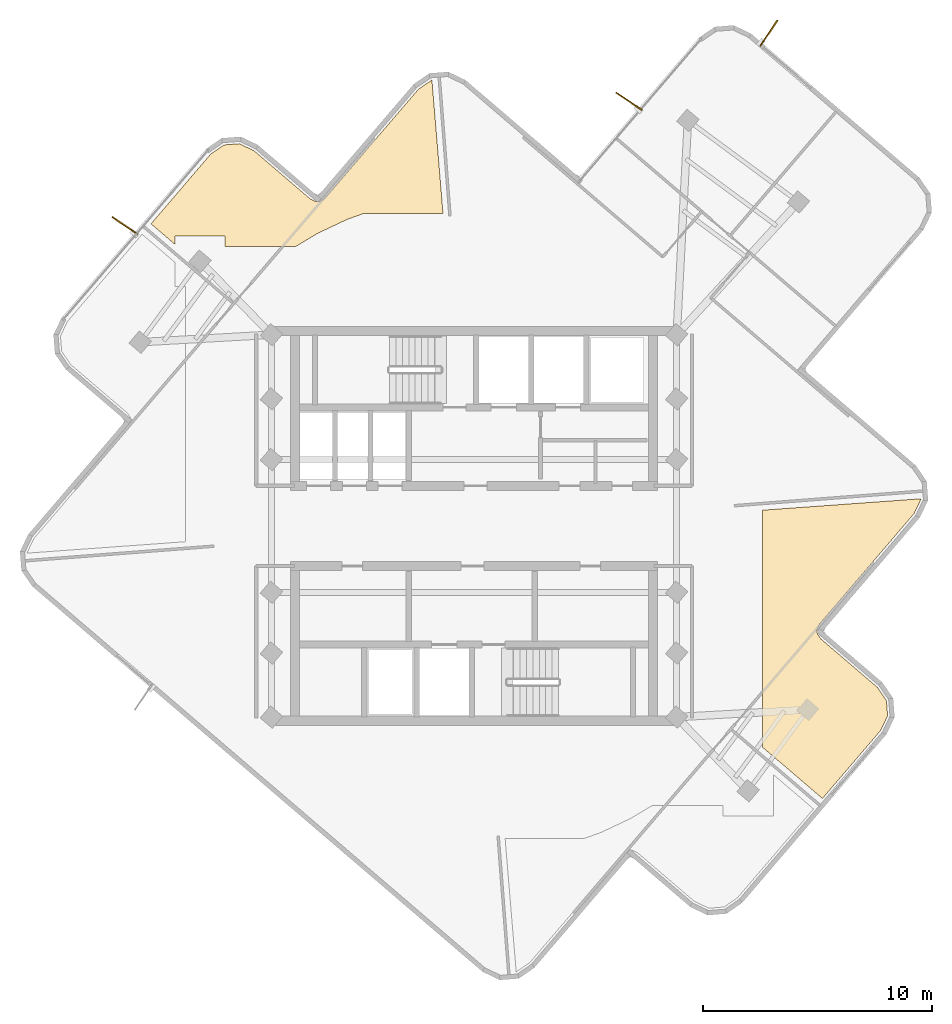
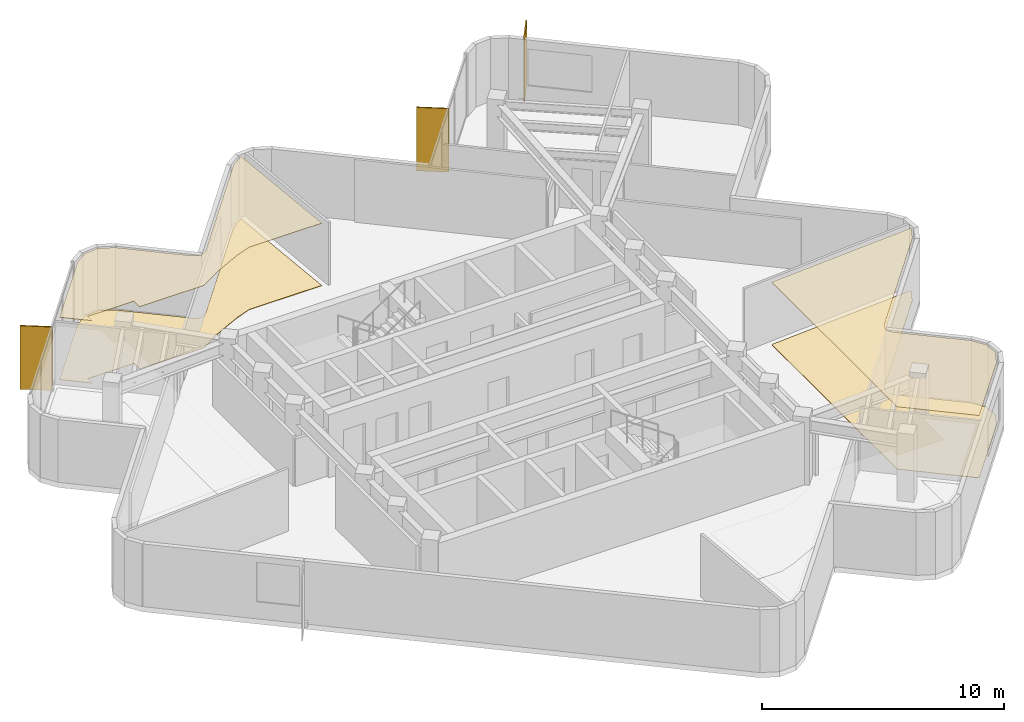
# One storey, part 10 of 10: 4 coverings, 3 shading devices.
"""IFC4 building model written with IfcOpenShell, lengths in metres."""

from ifc_helpers import new_model, si_unit, direction, frame, origin, origin_2d, place, context, subcontext, project, spatial, polyline, rectangle, outline, extrude, material, layer, layer_set, type_object, element, save


model = new_model("IFC4")

# Units and contexts
model_context = context("Model", 3, precision=1e-05, world=origin(), true_north=direction((0.0, 1.0)))
body_context = subcontext(model_context, "Body", "Model", "MODEL_VIEW")
ifc_project = project(units=[si_unit("LENGTHUNIT", "METRE"), si_unit("AREAUNIT", "SQUARE_METRE"), si_unit("VOLUMEUNIT", "CUBIC_METRE"), si_unit("PLANEANGLEUNIT", "RADIAN"), si_unit("MASSUNIT", "GRAM", prefix="KILO")], contexts=[model_context])

# Site, building, storey
site_placement = place(None, origin())
site = spatial("IfcSite", under=ifc_project, at=site_placement, CompositionType="ELEMENT")
building_placement = place(site_placement, origin())
building = spatial("IfcBuilding", under=site, at=building_placement, Name="Solmarez Civic Tower", CompositionType="ELEMENT")
storey_placement = place(building_placement, frame((0.0, 0.0, 254.340087890625)))
storey = spatial("IfcBuildingStorey", under=building, at=storey_placement, Name="L68", CompositionType="ELEMENT", Elevation=254.340087890625)

# Coverings
ifc_material_1 = material(Name="Perforated Mineral-Fibre Acoustic Ceiling")
ifc_layer_1 = layer(ifc_material_1, 0.02490234375)
ifc_layer_set_1 = layer_set([ifc_layer_1], Name="Perforated Mineral-Fibre Acoustic Ceiling")
covering_type_1 = type_object("IfcCoveringType", Name="COV-CEIL-ACOUSTIC", PredefinedType="CEILING", material=ifc_layer_set_1)
covering_1_placement = place(storey_placement, frame((0.0, 0.0, 3.135009765625)))
element("IfcCovering", 1, at=covering_1_placement, inside=storey, type_object=covering_type_1, Name="L68 Suspended Acoustic Ceiling 2", PredefinedType="CEILING", context=body_context, shape_type="SweptSolid", body=[
    extrude(outline(polyline([(12.60009765625, 0.68896484375), (12.60009765625, -9.6650390625), (15.215087890625, -11.904052734375), (17.758056640625, -8.93310546875), (18.06396484375, -8.2939453125), (18.011962890625, -7.62890625), (17.612060546875, -7.0439453125), (15.181884765625, -4.965087890625), (15.177001953125, -4.9609375), (15.160888671875, -4.946044921875), (15.14599609375, -4.928955078125), (15.14208984375, -4.924072265625), (15.1279296875, -4.905029296875), (15.029052734375, -4.760986328125), (15.02490234375, -4.7548828125), (15.014892578125, -4.738037109375), (15.006103515625, -4.719970703125), (15.0029296875, -4.712890625), (15.0, -4.7060546875), (14.993896484375, -4.68896484375), (14.989013671875, -4.672119140625), (14.987060546875, -4.6640625), (14.98193359375, -4.64208984375), (14.98095703125, -4.631103515625), (14.97998046875, -4.623046875), (14.97802734375, -4.60400390625), (14.97802734375, -4.583984375), (14.97900390625, -4.573974609375), (14.97998046875, -4.56103515625), (14.98291015625, -4.5400390625), (14.987060546875, -4.52099609375), (14.989990234375, -4.512939453125), (14.9951171875, -4.49609375), (15.0009765625, -4.47900390625), (15.00390625, -4.471923828125), (15.007080078125, -4.464111328125), (15.0810546875, -4.30908203125), (15.090087890625, -4.2939453125), (15.10205078125, -4.27294921875), (15.115966796875, -4.25390625), (15.1279296875, -4.239990234375), (19.220947265625, 0.5419921875), (19.527099609375, 1.181884765625), (19.527099609375, 1.18798828125), (12.60009765625, 0.68896484375)])), origin(), (0.0, 0.0, 1.0), 0.02490234375),
])
covering_2_placement = place(storey_placement, frame((0.0, 0.0, 3.135009765625)))
element("IfcCovering", 2, at=covering_2_placement, inside=storey, type_object=covering_type_1, Name="L68 Suspended Acoustic Ceiling 4", PredefinedType="CEILING", context=body_context, shape_type="SweptSolid", body=[
    extrude(outline(polyline([(-13.071044921875, 12.305908203125), (-13.071044921875, 12.666015625), (-10.87109375, 12.666015625), (-10.87109375, 12.199951171875), (-7.797119140625, 12.199951171875), (-6.842041015625, 12.77294921875), (-6.826904296875, 12.781005859375), (-6.81396484375, 12.787109375), (-5.552978515625, 13.384033203125), (-5.532958984375, 13.39208984375), (-4.85107421875, 13.635986328125), (-4.844970703125, 13.637939453125), (-4.818115234375, 13.64501953125), (-4.81298828125, 13.64599609375), (-4.7919921875, 13.64892578125), (-4.77001953125, 13.64990234375), (-1.35595703125, 13.64990234375), (-1.840087890625, 19.47607421875), (-1.846923828125, 19.47509765625), (-2.430908203125, 19.073974609375), (-6.4619140625, 14.364990234375), (-6.47705078125, 14.347900390625), (-6.493896484375, 14.33203125), (-6.5, 14.327880859375), (-6.5048828125, 14.323974609375), (-6.52099609375, 14.31103515625), (-6.6630859375, 14.214111328125), (-6.677978515625, 14.205078125), (-6.68505859375, 14.200927734375), (-6.696044921875, 14.195068359375), (-6.701904296875, 14.19189453125), (-6.712890625, 14.18701171875), (-6.719970703125, 14.18408203125), (-6.737060546875, 14.177978515625), (-6.75390625, 14.173095703125), (-6.761962890625, 14.1708984375), (-6.783935546875, 14.166015625), (-6.794921875, 14.1650390625), (-6.802978515625, 14.1640625), (-6.830078125, 14.162109375), (-6.837890625, 14.162109375), (-6.868896484375, 14.1640625), (-6.8759765625, 14.1650390625), (-6.89794921875, 14.169921875), (-6.906005859375, 14.172119140625), (-6.9130859375, 14.173095703125), (-6.919921875, 14.175048828125), (-6.947021484375, 14.18505859375), (-6.9541015625, 14.18798828125), (-6.9619140625, 14.19091796875), (-7.1201171875, 14.26708984375), (-7.1259765625, 14.27001953125), (-7.14990234375, 14.283935546875), (-7.156005859375, 14.2880859375), (-7.1708984375, 14.299072265625), (-7.176025390625, 14.302978515625), (-7.181884765625, 14.30810546875), (-9.613037109375, 16.388916015625), (-10.2529296875, 16.695068359375), (-10.91796875, 16.64306640625), (-11.501953125, 16.241943359375), (-14.110107421875, 13.195068359375), (-13.071044921875, 12.305908203125)])), origin(), (0.0, 0.0, 1.0), 0.02490234375),
])
ifc_material_2 = material(Name="Polished Tropical Stone Terrazzo Flooring", Category="masonry")
ifc_layer_2 = layer(ifc_material_2, 0.02001953125)
ifc_layer_set_2 = layer_set([ifc_layer_2], Name="Polished Tropical Stone Terrazzo Flooring")
covering_type_2 = type_object("IfcCoveringType", Name="COV-FLOOR-TERRAZZO", PredefinedType="FLOORING", material=ifc_layer_set_2)
covering_3_placement = place(storey_placement, origin())
element("IfcCovering", 3, at=covering_3_placement, inside=storey, type_object=covering_type_2, Name="L68 Terrazzo Floor Finish 2", PredefinedType="FLOORING", context=body_context, shape_type="SweptSolid", body=[
    extrude(outline(polyline([(12.60009765625, 0.68896484375), (12.60009765625, -9.6650390625), (15.215087890625, -11.904052734375), (17.758056640625, -8.93310546875), (18.06396484375, -8.2939453125), (18.011962890625, -7.62890625), (17.612060546875, -7.0439453125), (15.181884765625, -4.965087890625), (15.177001953125, -4.9609375), (15.160888671875, -4.946044921875), (15.14599609375, -4.928955078125), (15.14208984375, -4.924072265625), (15.1279296875, -4.905029296875), (15.029052734375, -4.760986328125), (15.02490234375, -4.7548828125), (15.014892578125, -4.738037109375), (15.006103515625, -4.719970703125), (15.0029296875, -4.712890625), (15.0, -4.7060546875), (14.993896484375, -4.68896484375), (14.989013671875, -4.672119140625), (14.987060546875, -4.6640625), (14.98193359375, -4.64208984375), (14.98095703125, -4.631103515625), (14.97998046875, -4.623046875), (14.97802734375, -4.60400390625), (14.97802734375, -4.583984375), (14.97900390625, -4.573974609375), (14.97998046875, -4.56103515625), (14.98291015625, -4.5400390625), (14.987060546875, -4.52099609375), (14.989990234375, -4.512939453125), (14.9951171875, -4.49609375), (15.0009765625, -4.47900390625), (15.00390625, -4.471923828125), (15.007080078125, -4.464111328125), (15.0810546875, -4.30908203125), (15.090087890625, -4.2939453125), (15.10205078125, -4.27294921875), (15.115966796875, -4.25390625), (15.1279296875, -4.239990234375), (19.220947265625, 0.5419921875), (19.527099609375, 1.181884765625), (19.527099609375, 1.18798828125), (12.60009765625, 0.68896484375)])), origin(), (0.0, 0.0, 1.0), 0.02001953125),
])
covering_4_placement = place(storey_placement, origin())
element("IfcCovering", 4, at=covering_4_placement, inside=storey, type_object=covering_type_2, Name="L68 Terrazzo Floor Finish 4", PredefinedType="FLOORING", context=body_context, shape_type="SweptSolid", body=[
    extrude(outline(polyline([(-13.071044921875, 12.305908203125), (-13.071044921875, 12.666015625), (-10.87109375, 12.666015625), (-10.87109375, 12.199951171875), (-7.797119140625, 12.199951171875), (-6.842041015625, 12.77294921875), (-6.826904296875, 12.781005859375), (-6.81396484375, 12.787109375), (-5.552978515625, 13.384033203125), (-5.532958984375, 13.39208984375), (-4.85107421875, 13.635986328125), (-4.844970703125, 13.637939453125), (-4.818115234375, 13.64501953125), (-4.81298828125, 13.64599609375), (-4.7919921875, 13.64892578125), (-4.77001953125, 13.64990234375), (-1.35595703125, 13.64990234375), (-1.840087890625, 19.47607421875), (-1.846923828125, 19.47509765625), (-2.430908203125, 19.073974609375), (-6.4619140625, 14.364990234375), (-6.47705078125, 14.347900390625), (-6.493896484375, 14.33203125), (-6.5, 14.327880859375), (-6.5048828125, 14.323974609375), (-6.52099609375, 14.31103515625), (-6.6630859375, 14.214111328125), (-6.677978515625, 14.205078125), (-6.68505859375, 14.200927734375), (-6.696044921875, 14.195068359375), (-6.701904296875, 14.19189453125), (-6.712890625, 14.18701171875), (-6.719970703125, 14.18408203125), (-6.737060546875, 14.177978515625), (-6.75390625, 14.173095703125), (-6.761962890625, 14.1708984375), (-6.783935546875, 14.166015625), (-6.794921875, 14.1650390625), (-6.802978515625, 14.1640625), (-6.830078125, 14.162109375), (-6.837890625, 14.162109375), (-6.868896484375, 14.1640625), (-6.8759765625, 14.1650390625), (-6.89794921875, 14.169921875), (-6.906005859375, 14.172119140625), (-6.9130859375, 14.173095703125), (-6.919921875, 14.175048828125), (-6.947021484375, 14.18505859375), (-6.9541015625, 14.18798828125), (-6.9619140625, 14.19091796875), (-7.1201171875, 14.26708984375), (-7.1259765625, 14.27001953125), (-7.14990234375, 14.283935546875), (-7.156005859375, 14.2880859375), (-7.1708984375, 14.299072265625), (-7.176025390625, 14.302978515625), (-7.181884765625, 14.30810546875), (-9.613037109375, 16.388916015625), (-10.2529296875, 16.695068359375), (-10.91796875, 16.64306640625), (-11.501953125, 16.241943359375), (-14.110107421875, 13.195068359375), (-13.071044921875, 12.305908203125)])), origin(), (0.0, 0.0, 1.0), 0.02001953125),
])

# Shading devices
ifc_material_3 = material(Name="Bronze Anodised Aluminium EN AW-6063 T6", Category="aluminium")
ifc_layer_3 = layer(ifc_material_3, 0.054931640625)
ifc_layer_set_3 = layer_set([ifc_layer_3], Name="Bronze Anodised Aluminium EN AW-6063 T6")
shading_device_type = type_object("IfcShadingDeviceType", Name="FIN-BRONZE-Z56", PredefinedType="USERDEFINED", material=ifc_layer_set_3)
for number, where, z_axis, x_axis, name in (
    (5, (-15.257080078125, 13.1240234375, -0.0400390625), (0.0, 0.0, 1.0), (-0.829534991685, 0.558454740843, 0.0), "L68 Anodised Bronze Solar Fin FIN-L68-02"),
    (6, (6.762939453125, 18.551025390625, -0.0400390625), (0.0, 0.0, 1.0), (-0.829505749926, 0.558498174428, 0.0), "L68 Anodised Bronze Solar Fin FIN-L68-03"),
    (7, (12.876953125, 21.52294921875, -0.0400390625), (0.0, 0.0, 1.0), (0.558396827014, 0.82957397716, 0.0), "L68 Anodised Bronze Solar Fin FIN-L68-04"),
):
    element("IfcShadingDevice", number, at=place(storey_placement, frame(where, z_axis=z_axis, x_axis=x_axis)), inside=storey, type_object=shading_device_type, Name=name, ObjectType="FIN", PredefinedType="USERDEFINED", context=body_context, shape_type="SweptSolid", body=[
        extrude(rectangle(XDim=1.35009765625, YDim=0.054931640625, at=origin_2d()), origin(), (0.0, 0.0, 1.0), 3.199951171875),
    ])

save(model, "model.ifc")
